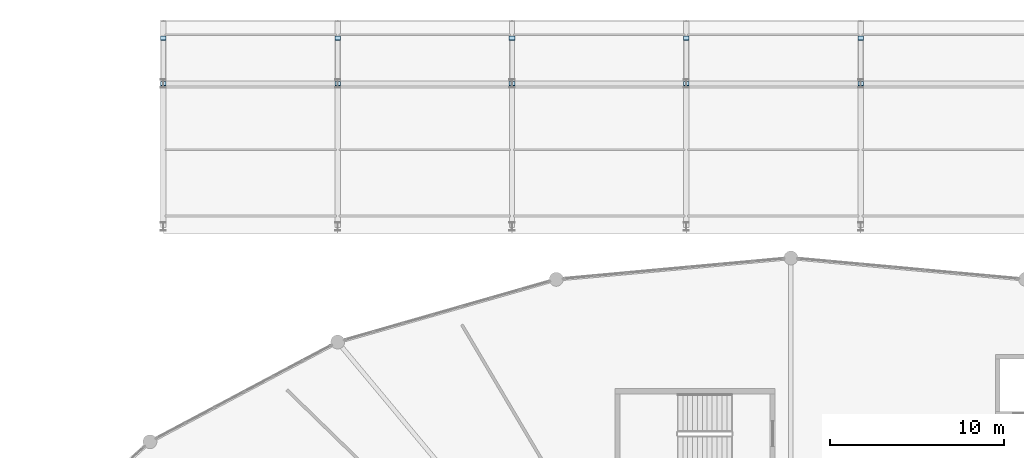
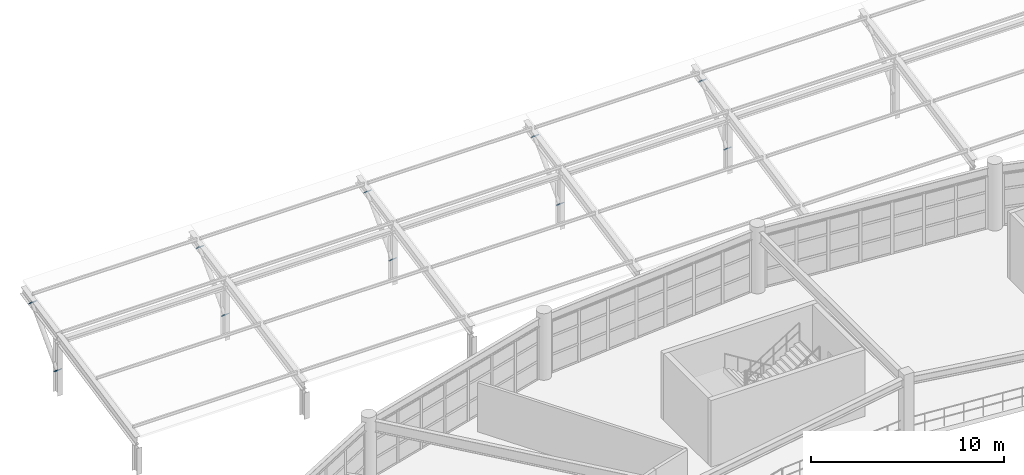
# One storey, part 74 of 100: 10 plates.
"""IFC4 building model written with IfcOpenShell, lengths in metres."""

from ifc_helpers import new_model, si_unit, direction, frame, origin, origin_2d, place, context, subcontext, project, spatial, rectangle, extrude, material, layer, layer_set, type_object, element, save


model = new_model("IFC4")

# Units and contexts
model_context = context("Model", 3, precision=1e-05, world=origin(), true_north=direction((0.0, 1.0)))
body_context = subcontext(model_context, "Body", "Model", "MODEL_VIEW")
ifc_project = project(units=[si_unit("LENGTHUNIT", "METRE"), si_unit("AREAUNIT", "SQUARE_METRE"), si_unit("VOLUMEUNIT", "CUBIC_METRE"), si_unit("PLANEANGLEUNIT", "RADIAN"), si_unit("MASSUNIT", "GRAM", prefix="KILO")], contexts=[model_context])

# Site, building, storey
site_placement = place(None, origin())
site = spatial("IfcSite", under=ifc_project, at=site_placement, CompositionType="ELEMENT")
building_placement = place(site_placement, origin())
building = spatial("IfcBuilding", under=site, at=building_placement, Name="Kivolera Central Railway Station", CompositionType="ELEMENT")
storey_placement = place(building_placement, frame((0.0, 0.0, 5.39990234375)))
storey = spatial("IfcBuildingStorey", under=building, at=storey_placement, Name="L01", CompositionType="ELEMENT", Elevation=5.39990234375)

# Plates
ifc_material = material(Name="Steel S355", Category="steel")
ifc_layer = layer(ifc_material, 0.02490234375, Name="Steel S355")
ifc_layer_set = layer_set([ifc_layer], Name="Steel S355")
plate_type = type_object("IfcPlateType", Name="PLT-CAP-320", PredefinedType="SHEET", material=ifc_layer_set)
for number, where, z_axis, x_axis, name in (
    (1, (28.0, 135.9970703125, 1.447021484375), (0.0, 0.693641687277, 0.720320213288), (-1.0, 0.0, 0.0), "Hollow section end-cap plate NP-CAP1"),
    (2, (28.0, 138.60302734375, 4.153076171875), (0.0, 0.693641687277, 0.720320213288), (-1.0, 0.0, 0.0), "Hollow section end-cap plate NP-CAP1"),
    (3, (38.0, 135.9970703125, 1.447021484375), (0.0, 0.693641687277, 0.720320213288), (-1.0, 0.0, 0.0), "Hollow section end-cap plate NP-CAP1"),
    (4, (38.0, 138.60302734375, 4.153076171875), (0.0, 0.693641687277, 0.720320213288), (-1.0, 0.0, 0.0), "Hollow section end-cap plate NP-CAP1"),
    (5, (48.0, 135.9970703125, 1.447021484375), (0.0, 0.693641687277, 0.720320213288), (-1.0, 0.0, 0.0), "Hollow section end-cap plate NP-CAP1"),
    (6, (48.0, 138.60302734375, 4.153076171875), (0.0, 0.693641687277, 0.720320213288), (-1.0, 0.0, 0.0), "Hollow section end-cap plate NP-CAP1"),
    (7, (58.0, 135.9970703125, 1.447021484375), (0.0, 0.693641687277, 0.720320213288), (-1.0, 0.0, 0.0), "Hollow section end-cap plate NP-CAP1"),
    (8, (58.0, 138.60302734375, 4.153076171875), (0.0, 0.693641687277, 0.720320213288), (-1.0, 0.0, 0.0), "Hollow section end-cap plate NP-CAP1"),
    (9, (68.0, 135.9970703125, 1.447021484375), (0.0, 0.693641687277, 0.720320213288), (-1.0, 0.0, 0.0), "Hollow section end-cap plate NP-CAP1"),
    (10, (68.0, 138.60302734375, 4.153076171875), (0.0, 0.693641687277, 0.720320213288), (-1.0, 0.0, 0.0), "Hollow section end-cap plate NP-CAP1"),
):
    element("IfcPlate", number, at=place(storey_placement, frame(where, z_axis=z_axis, x_axis=x_axis)), inside=storey, type_object=plate_type, Name=name, PredefinedType="SHEET", context=body_context, shape_type="SweptSolid", body=[
        extrude(rectangle(XDim=0.320068359375, YDim=0.320068359375, at=origin_2d()), frame((0.0, 0.0, -0.012451171875)), (0.0, 0.0, 1.0), 0.02490234375),
    ])

save(model, "model.ifc")
